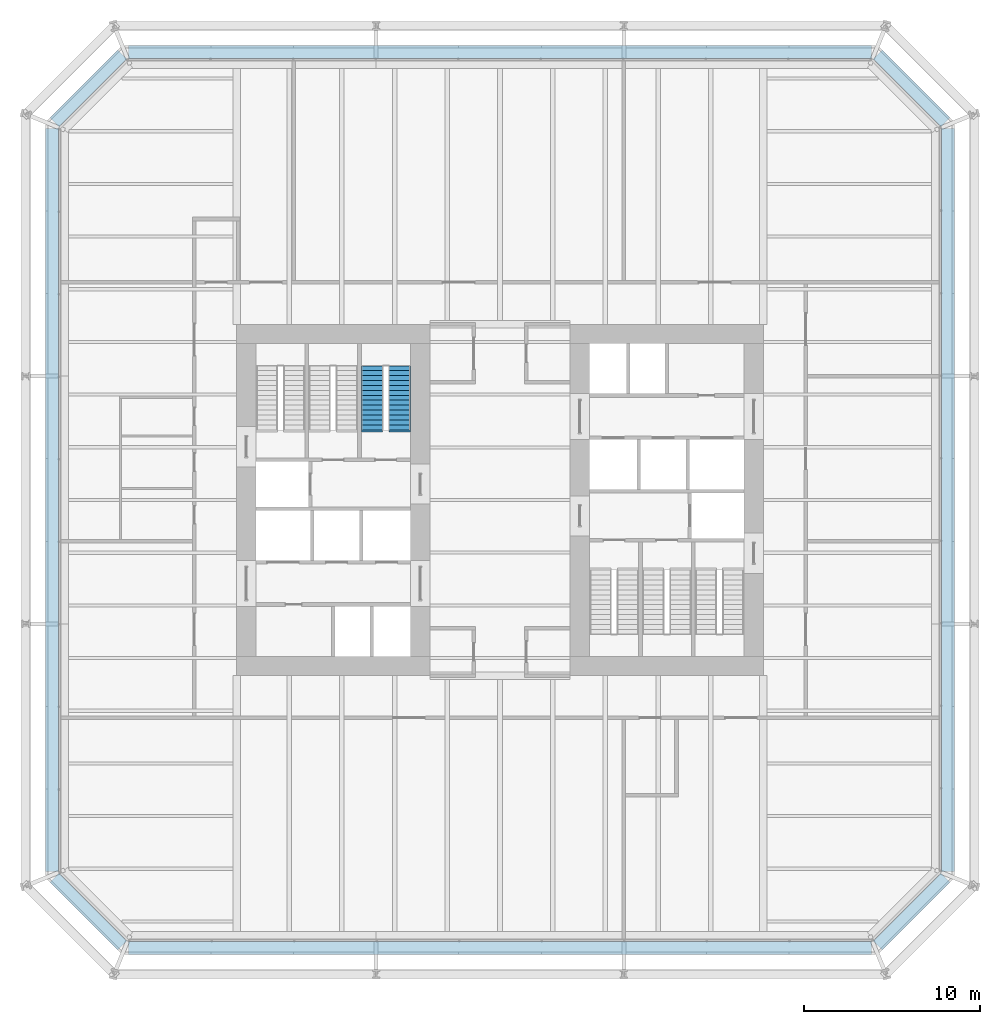
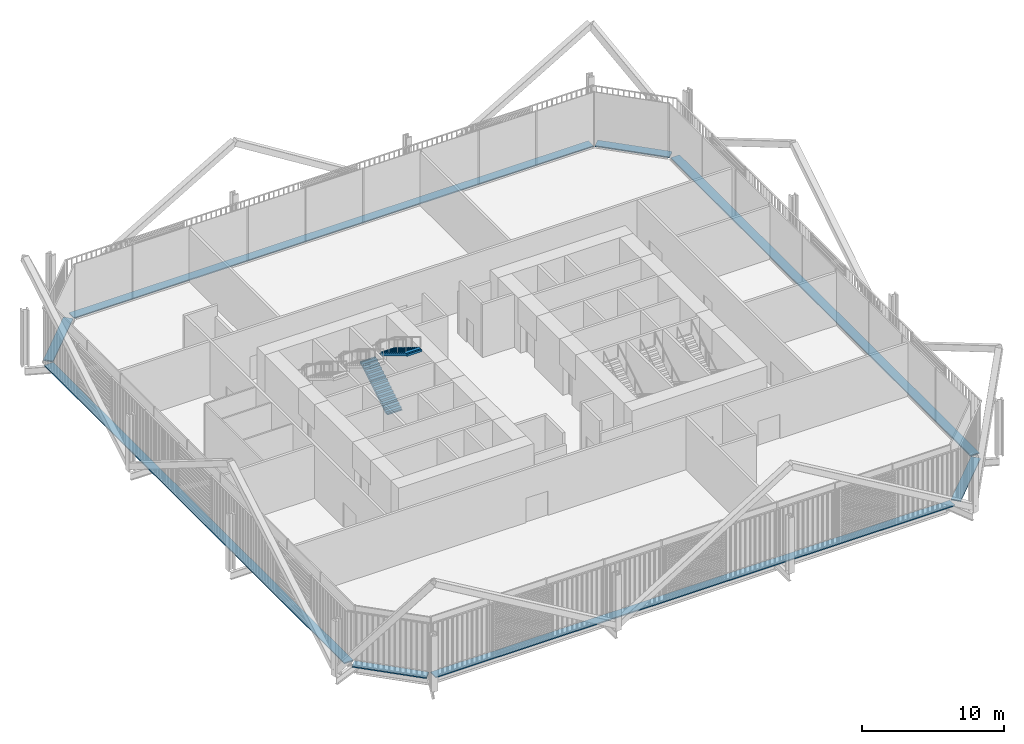
# One storey, part 21 of 22: 8 discrete accessories, 2 stair flights, 1 element without a shape of its own.
"""IFC4 building model written with IfcOpenShell, lengths in metres."""

from ifc_helpers import new_model, si_unit, direction, frame, origin, origin_2d, place, context, subcontext, project, spatial, polyline, rectangle, outline, extrude, material, type_object, element, aggregate, save


model = new_model("IFC4")

# Units and contexts
model_context = context("Model", 3, precision=1e-05, world=origin(), true_north=direction((0.0, 1.0)))
body_context = subcontext(model_context, "Body", "Model", "MODEL_VIEW")
ifc_project = project(units=[si_unit("LENGTHUNIT", "METRE"), si_unit("AREAUNIT", "SQUARE_METRE"), si_unit("VOLUMEUNIT", "CUBIC_METRE"), si_unit("PLANEANGLEUNIT", "RADIAN"), si_unit("MASSUNIT", "GRAM", prefix="KILO")], contexts=[model_context])

# Site, building, storey
site_placement = place(None, origin())
site = spatial("IfcSite", under=ifc_project, at=site_placement, CompositionType="ELEMENT")
building_placement = place(site_placement, origin())
building = spatial("IfcBuilding", under=site, at=building_placement, Name="Millrace Tower", CompositionType="ELEMENT")
storey_placement = place(building_placement, frame((0.0, 0.0, 54.5)))
storey = spatial("IfcBuildingStorey", under=building, at=storey_placement, Name="L12", CompositionType="ELEMENT", Elevation=54.5)

# Stair, stair flights
ifc_material_1 = material(Name="Concrete C35", Category="concrete")
stair_type = type_object("IfcStairType", Name="Exit stair", PredefinedType="HALF_TURN_STAIR", material=ifc_material_1)
stair_placement = place(storey_placement, origin())
stair = element("IfcStair", 1, at=stair_placement, inside=storey, type_object=stair_type, Name="Stair 3 W L12", PredefinedType="HALF_TURN_STAIR")
ifc_material_2 = material(Name="Concrete C35", Category="concrete")
stair_flight_type = type_object("IfcStairFlightType", Name="Exit stair flight", PredefinedType="STRAIGHT", material=ifc_material_2)
stair_flight_1_placement = place(storey_placement, frame((-7.2900390625, 4.0, 0.0), z_axis=(0.0, 0.0, 1.0), x_axis=(0.0, 1.0, 0.0)))
stair_flight_1 = element("IfcStairFlight", 2, at=stair_flight_1_placement, type_object=stair_flight_type, Name="ST12 flight 1", NumberOfRisers=14, NumberOfTreads=13, PredefinedType="STRAIGHT", RiserHeight=0.171428571, TreadLength=0.28, context=body_context, shape_type="SweptSolid", body=[
    extrude(outline(polyline([(-0.1201171875, -0.0400390625), (-0.1201171875, 0.0), (0.0, 0.0), (0.0, 0.17138671875), (0.280029296875, 0.17138671875), (0.280029296875, 0.3427734375), (0.56005859375, 0.3427734375), (0.56005859375, 0.514404296875), (0.840087890625, 0.514404296875), (0.840087890625, 0.685791015625), (1.1201171875, 0.685791015625), (1.1201171875, 0.857177734375), (1.39990234375, 0.857177734375), (1.39990234375, 1.028564453125), (1.679931640625, 1.028564453125), (1.679931640625, 1.199951171875), (1.9599609375, 1.199951171875), (1.9599609375, 1.371337890625), (2.239990234375, 1.371337890625), (2.239990234375, 1.54296875), (2.52001953125, 1.54296875), (2.52001953125, 1.71435546875), (2.800048828125, 1.71435546875), (2.800048828125, 1.8857421875), (3.080078125, 1.8857421875), (3.080078125, 2.05712890625), (3.360107421875, 2.05712890625), (3.360107421875, 2.228515625), (3.639892578125, 2.228515625), (3.639892578125, 2.24853515625), (3.760009765625, 2.24853515625), (3.760009765625, 2.052734375), (3.639892578125, 2.052734375), (0.287109375, 0.0), (0.287109375, -0.0400390625), (-0.1201171875, -0.0400390625)])), frame((0.0, 0.60986328125, 0.0), z_axis=(0.0, -1.0, 0.0), x_axis=(1.0, 0.0, 0.0)), (0.0, 0.0, 1.0), 1.219970703125),
])
stair_flight_2_placement = place(storey_placement, frame((-5.7099609375, 7.639892578125, 2.39990234375), z_axis=(0.0, 0.0, 1.0), x_axis=(0.0, -1.0, 0.0)))
stair_flight_2 = element("IfcStairFlight", 3, at=stair_flight_2_placement, type_object=stair_flight_type, Name="ST12 flight 2", NumberOfRisers=14, NumberOfTreads=13, PredefinedType="STRAIGHT", RiserHeight=0.171428571, TreadLength=0.28, context=body_context, shape_type="SweptSolid", body=[
    extrude(outline(polyline([(-0.1201171875, -0.0400390625), (-0.1201171875, 0.0), (0.0, 0.0), (0.0, 0.17138671875), (0.280029296875, 0.17138671875), (0.280029296875, 0.3427734375), (0.56005859375, 0.3427734375), (0.56005859375, 0.514404296875), (0.840087890625, 0.514404296875), (0.840087890625, 0.685791015625), (1.1201171875, 0.685791015625), (1.1201171875, 0.857177734375), (1.39990234375, 0.857177734375), (1.39990234375, 1.028564453125), (1.679931640625, 1.028564453125), (1.679931640625, 1.199951171875), (1.9599609375, 1.199951171875), (1.9599609375, 1.371337890625), (2.239990234375, 1.371337890625), (2.239990234375, 1.54296875), (2.52001953125, 1.54296875), (2.52001953125, 1.71435546875), (2.800048828125, 1.71435546875), (2.800048828125, 1.8857421875), (3.080078125, 1.8857421875), (3.080078125, 2.05712890625), (3.360107421875, 2.05712890625), (3.360107421875, 2.228515625), (3.639892578125, 2.228515625), (3.639892578125, 2.24853515625), (3.760009765625, 2.24853515625), (3.760009765625, 2.052734375), (3.639892578125, 2.052734375), (0.287109375, 0.0), (0.287109375, -0.0400390625), (-0.1201171875, -0.0400390625)])), frame((0.0, 0.60986328125, 0.0), z_axis=(0.0, -1.0, 0.0), x_axis=(1.0, 0.0, 0.0)), (0.0, 0.0, 1.0), 1.219970703125),
])
aggregate(stair, [stair_flight_1, stair_flight_2])

# Discrete accessories
ifc_material_3 = material(Name="Stainless steel ASTM A240 type 316", Category="steel")
discrete_accessory_type = type_object("IfcDiscreteAccessoryType", Name="Thermally broken screen support rail", PredefinedType="BRACKET", material=ifc_material_3)
discrete_accessory_1_placement = place(storey_placement, frame((-23.435546875, -23.435546875, 0.0), z_axis=(0.0, 0.0, 1.0), x_axis=(0.707106781187, -0.707106781187, 0.0)))
element("IfcDiscreteAccessory", 4, at=discrete_accessory_1_placement, inside=storey, type_object=discrete_accessory_type, Name="Thermally broken screen support rail A-F01 L12 1", PredefinedType="BRACKET", context=body_context, shape_type="SweptSolid", body=[
    extrude(rectangle(XDim=5.44482421875, YDim=0.719970703125, at=origin_2d()), origin(), (0.0, 0.0, 1.0), 0.10009765625),
])
discrete_accessory_2_placement = place(storey_placement, frame((0.0, -25.510009765625, 0.0), z_axis=(0.0, 0.0, 1.0), x_axis=(1.0, 0.0, 0.0)))
element("IfcDiscreteAccessory", 5, at=discrete_accessory_2_placement, inside=storey, type_object=discrete_accessory_type, Name="Thermally broken screen support rail A-F02 L12 1", PredefinedType="BRACKET", context=body_context, shape_type="SweptSolid", body=[
    extrude(rectangle(XDim=42.300048828125, YDim=0.719970703125, at=origin_2d()), origin(), (0.0, 0.0, 1.0), 0.10009765625),
])
discrete_accessory_3_placement = place(storey_placement, frame((23.435546875, -23.435546875, 0.0), z_axis=(0.0, 0.0, 1.0), x_axis=(0.707106781187, 0.707106781187, 0.0)))
element("IfcDiscreteAccessory", 6, at=discrete_accessory_3_placement, inside=storey, type_object=discrete_accessory_type, Name="Thermally broken screen support rail A-F03 L12 1", PredefinedType="BRACKET", context=body_context, shape_type="SweptSolid", body=[
    extrude(rectangle(XDim=5.44482421875, YDim=0.719970703125, at=origin_2d()), origin(), (0.0, 0.0, 1.0), 0.10009765625),
])
discrete_accessory_4_placement = place(storey_placement, frame((25.510009765625, 0.0, 0.0), z_axis=(0.0, 0.0, 1.0), x_axis=(0.0, 1.0, 0.0)))
element("IfcDiscreteAccessory", 7, at=discrete_accessory_4_placement, inside=storey, type_object=discrete_accessory_type, Name="Thermally broken screen support rail A-F04 L12 1", PredefinedType="BRACKET", context=body_context, shape_type="SweptSolid", body=[
    extrude(rectangle(XDim=42.300048828125, YDim=0.719970703125, at=origin_2d()), origin(), (0.0, 0.0, 1.0), 0.10009765625),
])
discrete_accessory_5_placement = place(storey_placement, frame((23.435546875, 23.435546875, 0.0), z_axis=(0.0, 0.0, 1.0), x_axis=(-0.707106781187, 0.707106781187, 0.0)))
element("IfcDiscreteAccessory", 8, at=discrete_accessory_5_placement, inside=storey, type_object=discrete_accessory_type, Name="Thermally broken screen support rail A-F05 L12 1", PredefinedType="BRACKET", context=body_context, shape_type="SweptSolid", body=[
    extrude(rectangle(XDim=5.44482421875, YDim=0.719970703125, at=origin_2d()), origin(), (0.0, 0.0, 1.0), 0.10009765625),
])
discrete_accessory_6_placement = place(storey_placement, frame((0.0, 25.510009765625, 0.0), z_axis=(0.0, 0.0, 1.0), x_axis=(-1.0, 0.0, 0.0)))
element("IfcDiscreteAccessory", 9, at=discrete_accessory_6_placement, inside=storey, type_object=discrete_accessory_type, Name="Thermally broken screen support rail A-F06 L12 1", PredefinedType="BRACKET", context=body_context, shape_type="SweptSolid", body=[
    extrude(rectangle(XDim=42.300048828125, YDim=0.719970703125, at=origin_2d()), origin(), (0.0, 0.0, 1.0), 0.10009765625),
])
discrete_accessory_7_placement = place(storey_placement, frame((-23.435546875, 23.435546875, 0.0), z_axis=(0.0, 0.0, 1.0), x_axis=(-0.707106781187, -0.707106781187, 0.0)))
element("IfcDiscreteAccessory", 10, at=discrete_accessory_7_placement, inside=storey, type_object=discrete_accessory_type, Name="Thermally broken screen support rail A-F07 L12 1", PredefinedType="BRACKET", context=body_context, shape_type="SweptSolid", body=[
    extrude(rectangle(XDim=5.44482421875, YDim=0.719970703125, at=origin_2d()), origin(), (0.0, 0.0, 1.0), 0.10009765625),
])
discrete_accessory_8_placement = place(storey_placement, frame((-25.510009765625, 0.0, 0.0), z_axis=(0.0, 0.0, 1.0), x_axis=(0.0, -1.0, 0.0)))
element("IfcDiscreteAccessory", 11, at=discrete_accessory_8_placement, inside=storey, type_object=discrete_accessory_type, Name="Thermally broken screen support rail A-F08 L12 1", PredefinedType="BRACKET", context=body_context, shape_type="SweptSolid", body=[
    extrude(rectangle(XDim=42.300048828125, YDim=0.719970703125, at=origin_2d()), origin(), (0.0, 0.0, 1.0), 0.10009765625),
])

save(model, "model.ifc")
